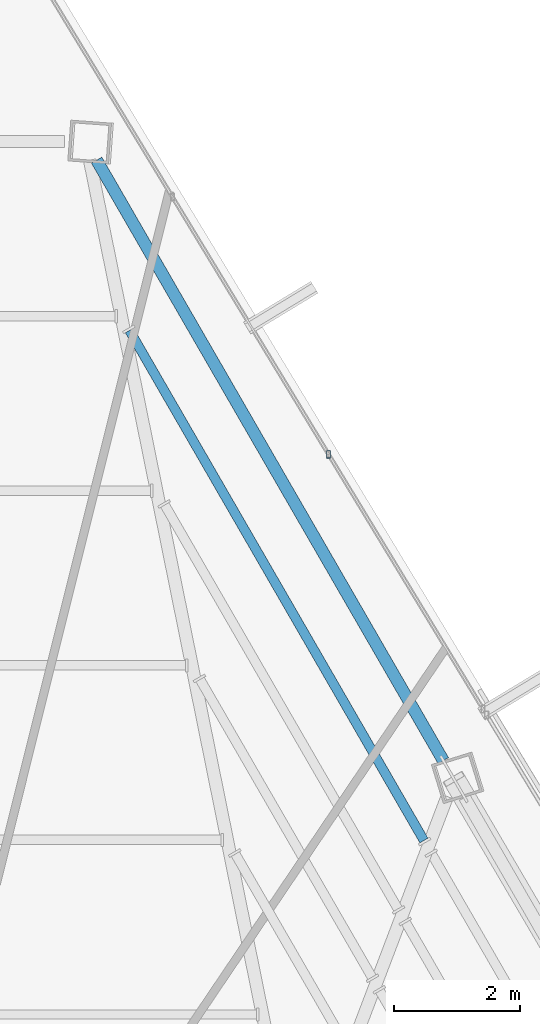
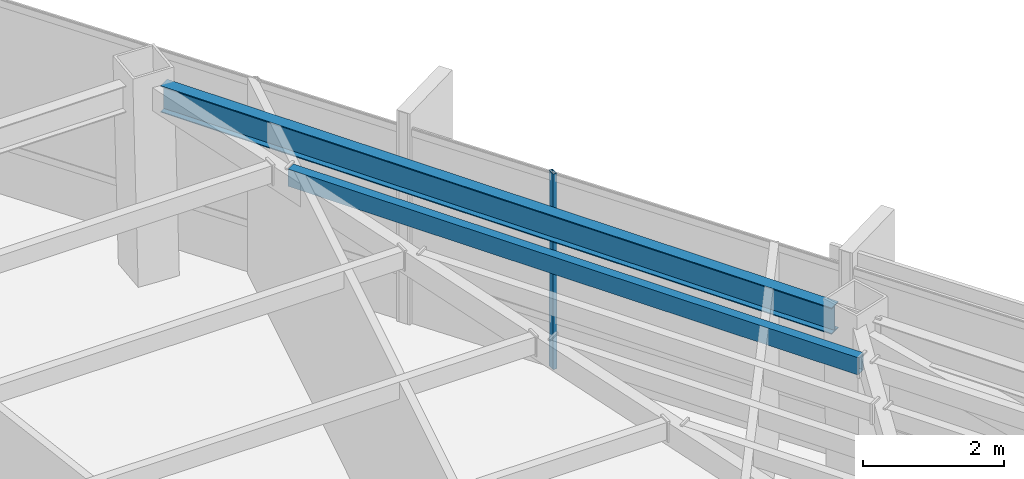
# One storey, part 34 of 45: 2 beams, 1 member, 1 element without a shape of its own.
"""IFC4 building model written with IfcOpenShell, lengths in metres."""

from ifc_helpers import new_model, si_unit, direction, frame, origin, origin_2d, place, context, subcontext, project, spatial, hollow_rectangle, i_section, extrude, source, transform, mapped, material, material_profile, profile_set, type_object, type_shapes, element, aggregate, save


model = new_model("IFC4")

# Units and contexts
model_context = context("Model", 3, precision=1e-05, world=origin(), true_north=direction((0.0, 1.0)))
body_context = subcontext(model_context, "Body", "Model", "MODEL_VIEW")
ifc_project = project(units=[si_unit("LENGTHUNIT", "METRE"), si_unit("AREAUNIT", "SQUARE_METRE"), si_unit("VOLUMEUNIT", "CUBIC_METRE"), si_unit("PLANEANGLEUNIT", "RADIAN"), si_unit("MASSUNIT", "GRAM", prefix="KILO")], contexts=[model_context])

# Site, building, storey
site_placement = place(None, origin())
site = spatial("IfcSite", under=ifc_project, at=site_placement, CompositionType="ELEMENT")
building_placement = place(site_placement, origin())
building = spatial("IfcBuilding", under=site, at=building_placement, Name="Caelisora Broadcast Tower", CompositionType="ELEMENT")
storey_placement = place(building_placement, frame((0.0, 0.0, 240.800048828125)))
storey = spatial("IfcBuildingStorey", under=building, at=storey_placement, Name="L63", CompositionType="ELEMENT", Elevation=240.800048828125)

# Beams
ifc_material_1 = material(Name="Steel Grade 350 (AS/NZS 3679.1)", Category="steel")
ifc_material_profile_1 = material_profile(ifc_material_1, i_section(OverallWidth=0.19091796875, OverallDepth=0.46044921875, WebThickness=0.010009765625, FlangeThickness=0.01611328125, at=origin_2d()), Name="Steel Grade 350 (AS/NZS 3679.1)")
ifc_profile_set_1 = profile_set([ifc_material_profile_1], Name="Steel Grade 350 (AS/NZS 3679.1)")
beam_type_1 = type_object("IfcBeamType", Name="PG06", PredefinedType="BEAM", material=ifc_profile_set_1)
shared_shape_1 = source(origin(), body_context, "Body", "SweptSolid", [
    extrude(i_section(OverallWidth=0.19091796875, OverallDepth=0.46044921875, WebThickness=0.010009765625, FlangeThickness=0.01611328125, at=origin_2d()), origin(), (0.0, 0.0, 1.0), 11.02587890625),
])
type_shapes(beam_type_1, [shared_shape_1])
beam_1_placement = place(storey_placement, frame((47.8134765625, 36.812255859375, 3.169677734375), z_axis=(-0.500004211896, 0.866022972032, 0.0), x_axis=(-0.866022972032, -0.500004211896, 0.0)))
element("IfcBeam", 1, at=beam_1_placement, inside=storey, type_object=beam_type_1, Name="L63 beam PG06", PredefinedType="BEAM", context=body_context, shape_type="MappedRepresentation", body=[
    mapped(shared_shape_1, transform((0.0, 0.0, 0.0), scale=1.0)),
])
ifc_material_2 = material(Name="Steel Grade 350 (AS/NZS 1163 C350L0)", Category="steel")
ifc_material_profile_2 = material_profile(ifc_material_2, hollow_rectangle(XDim=0.14990234375, YDim=0.300048828125, WallThickness=0.010009765625, at=origin_2d()), Name="Steel Grade 350 (AS/NZS 1163 C350L0)")
ifc_profile_set_2 = profile_set([ifc_material_profile_2], Name="Steel Grade 350 (AS/NZS 1163 C350L0)")
beam_type_2 = type_object("IfcBeamType", Name="SB05", PredefinedType="JOIST", material=ifc_profile_set_2)
shared_shape_2 = source(origin(), body_context, "Body", "SweptSolid", [
    extrude(hollow_rectangle(XDim=0.14990234375, YDim=0.300048828125, WallThickness=0.010009765625, at=origin_2d()), origin(), (0.0, 0.0, 1.0), 9.365234375),
])
type_shapes(beam_type_2, [shared_shape_2])
beam_2_placement = place(storey_placement, frame((47.505615234375, 35.5419921875, 3.25), z_axis=(-0.499997002894, 0.866027134157, 0.0), x_axis=(-0.866027134157, -0.499997002894, 0.0)))
element("IfcBeam", 2, at=beam_2_placement, inside=storey, type_object=beam_type_2, Name="L63 beam SB05", PredefinedType="JOIST", context=body_context, shape_type="MappedRepresentation", body=[
    mapped(shared_shape_2, transform((0.0, 0.0, 0.0), scale=1.0)),
])

# Curtain wall, member
ifc_material_3 = material(Name="Unitised Aluminium and Low-E Glass Curtain Wall", Category="glass")
curtain_wall_type = type_object("IfcCurtainWallType", Name="CW-Z5", PredefinedType="NOTDEFINED", material=ifc_material_3)
curtain_wall_placement = place(storey_placement, origin())
curtain_wall = element("IfcCurtainWall", 3, at=curtain_wall_placement, inside=storey, type_object=curtain_wall_type, Name="L63 curtain wall CW-Z5", PredefinedType="NOTDEFINED")
ifc_material_4 = material(Name="Aluminium 6063-T6 Anodised Terracotta Bronze", Category="aluminium")
ifc_material_profile_3 = material_profile(ifc_material_4, hollow_rectangle(XDim=0.06005859375, YDim=0.1201171875, WallThickness=0.0029296875, at=origin_2d()), Name="Aluminium 6063-T6 Anodised Terracotta Bronze")
ifc_profile_set_3 = profile_set([ifc_material_profile_3], Name="Aluminium 6063-T6 Anodised Terracotta Bronze")
member_type = type_object("IfcMemberType", Name="CWM-04", PredefinedType="MULLION", material=ifc_profile_set_3)
shared_shape_3 = source(origin(), body_context, "Body", "SweptSolid", [
    extrude(hollow_rectangle(XDim=0.06005859375, YDim=0.1201171875, WallThickness=0.0029296875, at=origin_2d()), origin(), (0.0, 0.0, 1.0), 3.39990234375),
])
type_shapes(member_type, [shared_shape_3])
member_placement = place(storey_placement, frame((45.989501953125, 41.681640625, 0.0), z_axis=(0.0, 0.0, 1.0), x_axis=(1.0, 0.0, 0.0)))
member = element("IfcMember", 4, at=member_placement, type_object=member_type, Name="L63-CW-B01 mullion #2", PredefinedType="MULLION", context=body_context, shape_type="MappedRepresentation", body=[
    mapped(shared_shape_3, transform((0.0, 0.0, 0.0), scale=1.0)),
])
aggregate(curtain_wall, [member])

save(model, "model.ifc")
